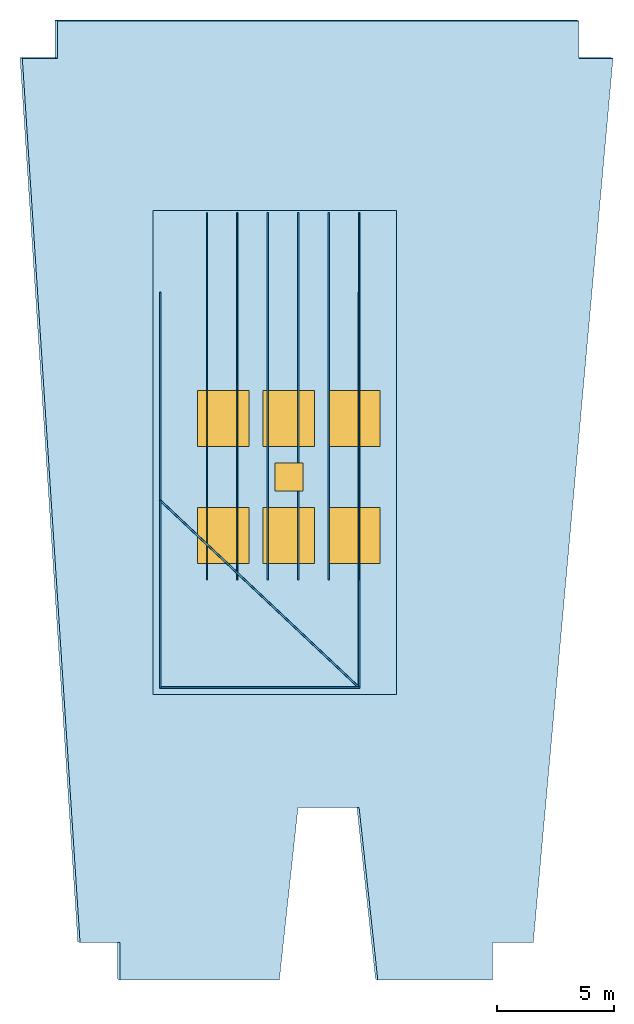
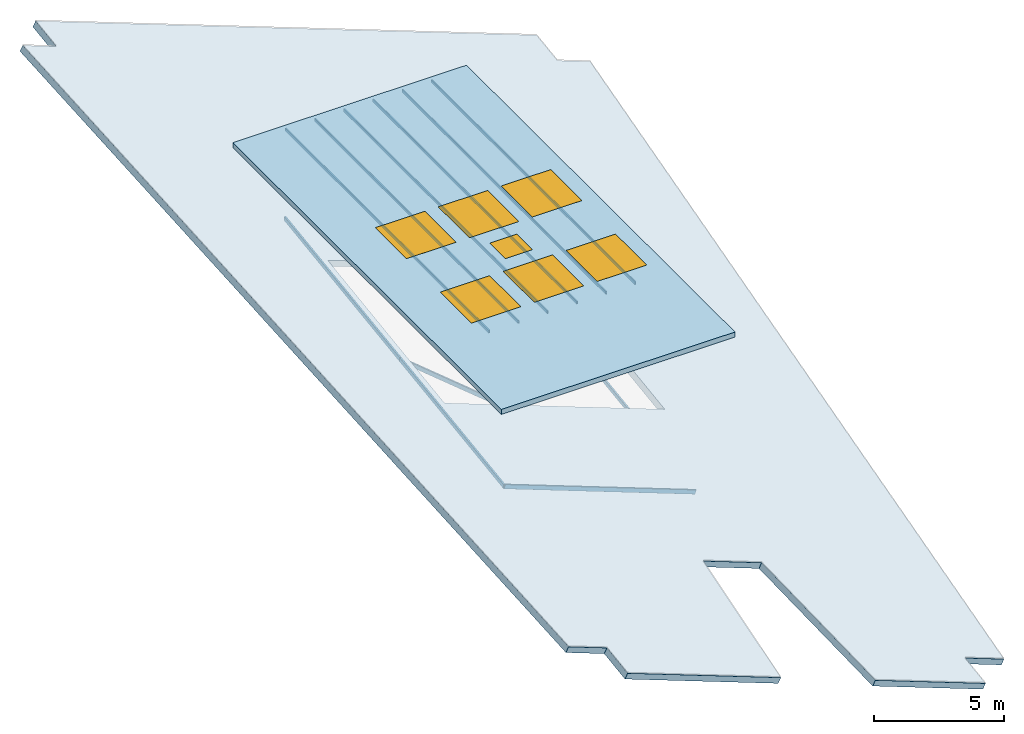
"""IFC4 building model written with IfcOpenShell, lengths in metres."""

from ifc_helpers import new_model, si_unit, direction, frame, origin, origin_2d, place, context, subcontext, project, spatial, polyline, rectangle, hollow_rectangle, outline, extrude, material, layer, layer_set, material_profile, profile_set, type_object, element, fill, save


model = new_model("IFC4")

# Units and contexts
model_context = context("Model", 3, precision=1e-05, world=origin(), true_north=direction((0.0, 1.0)))
body_context = subcontext(model_context, "Body", "Model", "MODEL_VIEW")
ifc_project = project(units=[si_unit("LENGTHUNIT", "METRE"), si_unit("AREAUNIT", "SQUARE_METRE"), si_unit("VOLUMEUNIT", "CUBIC_METRE"), si_unit("PLANEANGLEUNIT", "RADIAN"), si_unit("MASSUNIT", "GRAM", prefix="KILO")], contexts=[model_context])

# Site, building, storey
site_placement = place(None, origin())
site = spatial("IfcSite", under=ifc_project, at=site_placement, CompositionType="ELEMENT")
building_placement = place(site_placement, origin())
building = spatial("IfcBuilding", under=site, at=building_placement, Name="Caeloran Harvest Quay", CompositionType="ELEMENT")
storey_1_placement = place(building_placement, frame((0.0, 0.0, 346.64990234375)))
storey_1 = spatial("IfcBuildingStorey", under=building, at=storey_1_placement, Name="Roof Crown", CompositionType="ELEMENT", Elevation=346.64990234375)

# Members
ifc_material_1 = material(Name="Steel S355J2", Category="steel")
ifc_material_profile_1 = material_profile(ifc_material_1, hollow_rectangle(XDim=0.080078125, YDim=0.199951171875, WallThickness=0.006103515625, InnerFilletRadius=0.006103515625, OuterFilletRadius=0.009033203125, at=origin_2d()), Name="RHS 200x80x6")
ifc_profile_set_1 = profile_set([ifc_material_profile_1], Name="Steel S355J2")
member_type_1 = type_object("IfcMemberType", Name="MEM-CR-2-RHS_200x80x6", PredefinedType="PURLIN", material=ifc_profile_set_1)
member_1_placement = place(storey_1_placement, frame((8.5, 15.0, -6.7119140625), z_axis=(0.934784293814, 0.0, -0.355215883708), x_axis=(0.0, 1.0, 0.0)))
element("IfcMember", 1, at=member_1_placement, inside=storey_1, type_object=member_type_1, Name="CROWN FRAME Roof Glazing Purlin CRP-1", PredefinedType="PURLIN", context=body_context, shape_type="SweptSolid", body=[
    extrude(hollow_rectangle(XDim=0.080078125, YDim=0.199951171875, WallThickness=0.006103515625, InnerFilletRadius=0.006103515625, OuterFilletRadius=0.009033203125, at=origin_2d()), origin(), (0.0, 0.0, 1.0), 9.093017578125),
])
member_2_placement = place(storey_1_placement, frame((8.5, 15.0, -6.7119140625), z_axis=(0.0, 0.990339754644, 0.13866207258), x_axis=(-1.0, 0.0, 0.0)))
element("IfcMember", 2, at=member_2_placement, inside=storey_1, type_object=member_type_1, Name="CROWN FRAME Roof Glazing Purlin CRP-2", PredefinedType="PURLIN", context=body_context, shape_type="SweptSolid", body=[
    extrude(hollow_rectangle(XDim=0.080078125, YDim=0.199951171875, WallThickness=0.006103515625, InnerFilletRadius=0.006103515625, OuterFilletRadius=0.009033203125, at=origin_2d()), origin(), (0.0, 0.0, 1.0), 8.078125),
])
member_3_placement = place(storey_1_placement, frame((8.5, 23.0, -5.591796875), z_axis=(0.0, 0.990343835507, 0.138632923481), x_axis=(-1.0, 0.0, 0.0)))
element("IfcMember", 3, at=member_3_placement, inside=storey_1, type_object=member_type_1, Name="CROWN FRAME Roof Glazing Purlin CRP-3", PredefinedType="PURLIN", context=body_context, shape_type="SweptSolid", body=[
    extrude(hollow_rectangle(XDim=0.080078125, YDim=0.199951171875, WallThickness=0.006103515625, InnerFilletRadius=0.006103515625, OuterFilletRadius=0.009033203125, at=origin_2d()), origin(), (0.0, 0.0, 1.0), 8.986572265625),
])
member_4_placement = place(storey_1_placement, frame((17.0, 15.0, -9.94189453125), z_axis=(0.0, 0.990341903829, 0.138646721996), x_axis=(-1.0, 0.0, 0.0)))
element("IfcMember", 4, at=member_4_placement, inside=storey_1, type_object=member_type_1, Name="CROWN FRAME Roof Glazing Purlin CRP-4", PredefinedType="PURLIN", context=body_context, shape_type="SweptSolid", body=[
    extrude(hollow_rectangle(XDim=0.080078125, YDim=0.199951171875, WallThickness=0.006103515625, InnerFilletRadius=0.006103515625, OuterFilletRadius=0.009033203125, at=origin_2d()), origin(), (0.0, 0.0, 1.0), 17.064697265625),
])
member_5_placement = place(storey_1_placement, frame((8.5, 23.0, -5.591796875), z_axis=(0.682354968535, -0.642216440974, -0.349213029336), x_axis=(0.685364699005, 0.728199992693, 0.0)))
element("IfcMember", 5, at=member_5_placement, inside=storey_1, type_object=member_type_1, Name="CROWN FRAME Roof Glazing Purlin CRP-5", PredefinedType="PURLIN", context=body_context, shape_type="SweptSolid", body=[
    extrude(hollow_rectangle(XDim=0.080078125, YDim=0.199951171875, WallThickness=0.006103515625, InnerFilletRadius=0.006103515625, OuterFilletRadius=0.009033203125, at=origin_2d()), origin(), (0.0, 0.0, 1.0), 12.456787109375),
])
ifc_material_profile_2 = material_profile(ifc_material_1, hollow_rectangle(XDim=0.06005859375, YDim=0.139892578125, WallThickness=0.00390625, InnerFilletRadius=0.00390625, OuterFilletRadius=0.006103515625, at=origin_2d()), Name="RHS 140x60x4")
ifc_profile_set_2 = profile_set([ifc_material_profile_2], Name="Steel S355J2")
member_type_2 = type_object("IfcMemberType", Name="MEM-CR-4-RHS_140x60x4", PredefinedType="RAFTER", material=ifc_profile_set_2)
for number, where, z_axis, x_axis, name in (
    (6, (10.5, 19.60009765625, -2.929931640625), (0.0, 1.0, 0.0), (-1.0, 0.0, 0.0), "Atrium Skylight Sub-Rafter 1"),
    (7, (11.800048828125, 19.60009765625, -2.929931640625), (0.0, 1.0, 0.0), (-1.0, 0.0, 0.0), "Atrium Skylight Sub-Rafter 2"),
    (8, (13.10009765625, 19.60009765625, -2.929931640625), (0.0, 1.0, 0.0), (-1.0, 0.0, 0.0), "Atrium Skylight Sub-Rafter 3"),
    (9, (14.39990234375, 19.60009765625, -2.929931640625), (0.0, 1.0, 0.0), (-1.0, 0.0, 0.0), "Atrium Skylight Sub-Rafter 4"),
    (10, (15.699951171875, 19.60009765625, -2.929931640625), (0.0, 1.0, 0.0), (-1.0, 0.0, 0.0), "Atrium Skylight Sub-Rafter 5"),
    (11, (17.0, 19.60009765625, -2.929931640625), (0.0, 1.0, 0.0), (-1.0, 0.0, 0.0), "Atrium Skylight Sub-Rafter 6"),
):
    element("IfcMember", number, at=place(storey_1_placement, frame(where, z_axis=z_axis, x_axis=x_axis)), inside=storey_1, type_object=member_type_2, Name=name, PredefinedType="RAFTER", context=body_context, shape_type="SweptSolid", body=[
        extrude(hollow_rectangle(XDim=0.06005859375, YDim=0.139892578125, WallThickness=0.00390625, InnerFilletRadius=0.00390625, OuterFilletRadius=0.006103515625, at=origin_2d()), origin(), (0.0, 0.0, 1.0), 15.699951171875),
    ])

# Slab
ifc_material_2 = material(Name="Concrete C50/60", Category="concrete")
ifc_layer_1 = layer(ifc_material_2, 0.280029296875, Name="Concrete C50/60")
ifc_layer_set_1 = layer_set([ifc_layer_1], Name="Concrete C50/60")
slab_type_1 = type_object("IfcSlabType", Name="SLAB-RS-280", PredefinedType="ROOF", material=ifc_layer_set_1)
slab_1_placement = place(storey_1_placement, frame((6.777587890625, 2.5, -7.327392578125), z_axis=(0.352215051843, -0.129763417276, 0.926879718621), x_axis=(0.934783390685, 1.380931e-06, -0.355218260367)))
element("IfcSlab", 12, at=slab_1_placement, inside=storey_1, type_object=slab_type_1, Name="Slanted-Cut Crown Sloped Concrete Roof Slab", PredefinedType="ROOF", context=body_context, shape_type="SweptSolid", body=[
    extrude(outline(polyline([(0.0, 0.0), (7.290367103341003, 1.1102230246251565e-16), (7.779294151336501, 7.442791510447642), (10.56859159105369, 7.442799730462311), (11.791436766964818, -8.220014668602893e-06), (17.03585108088299, -3.28057942160509e-05), (16.956241385473465, 1.6137221510580435), (18.822316801327563, 1.6137226868230679), (20.589326412815186, 39.73584777110069), (19.031944104064127, 39.735851572380064), (18.9524211318627, 41.349576914687994), (-4.903228458585706, 41.349631615766505), (-4.8236187631761815, 39.73587665891424), (-6.423577542831622, 39.7358822924039), (-1.903108640359242, 1.6137525888769444), (-0.07952297220142736, 1.6137253423079303), (0.0, 0.0)]), holes=[polyline([(0.9922083977429996, 17.245812246222155), (11.475921277808126, 17.24579764549243), (11.02835781282674, 26.322542283593975), (0.5446449327616139, 26.322556884323696), (0.9922083977429996, 17.245812246222155)])]), origin(), (0.0, 0.0, -1.0), 0.280029296875),
])

# Slab, openings
ifc_layer_2 = layer(ifc_material_2, 0.239990234375, Name="Concrete C50/60")
ifc_layer_set_2 = layer_set([ifc_layer_2], Name="Concrete C50/60")
slab_type_2 = type_object("IfcSlabType", Name="SLAB-TR-240", PredefinedType="ROOF", material=ifc_layer_set_2)
slab_2_placement = place(storey_1_placement, frame((0.0, 0.0, -3.0498046875)))
slab_2 = element("IfcSlab", 13, at=slab_2_placement, inside=storey_1, type_object=slab_type_2, Name="Crown Atrium Skylight Curb Deck Slab", PredefinedType="ROOF", context=body_context, shape_type="SweptSolid", body=[
    extrude(outline(polyline([(8.199951171875, 14.699951171875), (18.60009765625, 14.699951171875), (18.60009765625, 35.39990234375), (8.199951171875, 35.39990234375), (8.199951171875, 14.699951171875)])), origin(), (0.0, 0.0, 1.0), 0.239990234375),
])
opening_1_placement = place(slab_2_placement, frame((11.199951171875, 21.5, -0.010009765625)))
opening_1 = element("IfcOpeningElement", 14, at=opening_1_placement, cuts=slab_2, Name="Opening SK-01", PredefinedType="OPENING", context=body_context, shape_type="SweptSolid", body=[
    extrude(rectangle(XDim=2.199951171875, YDim=2.39990234375, at=origin_2d()), origin(), (0.0, 0.0, 1.0), 0.260009765625),
])
opening_2_placement = place(slab_2_placement, frame((14.0, 21.5, -0.010009765625)))
opening_2 = element("IfcOpeningElement", 15, at=opening_2_placement, cuts=slab_2, Name="Opening SK-01", PredefinedType="OPENING", context=body_context, shape_type="SweptSolid", body=[
    extrude(rectangle(XDim=2.199951171875, YDim=2.39990234375, at=origin_2d()), origin(), (0.0, 0.0, 1.0), 0.260009765625),
])
opening_3_placement = place(slab_2_placement, frame((16.800048828125, 21.5, -0.010009765625)))
opening_3 = element("IfcOpeningElement", 16, at=opening_3_placement, cuts=slab_2, Name="Opening SK-01", PredefinedType="OPENING", context=body_context, shape_type="SweptSolid", body=[
    extrude(rectangle(XDim=2.199951171875, YDim=2.39990234375, at=origin_2d()), origin(), (0.0, 0.0, 1.0), 0.260009765625),
])
opening_4_placement = place(slab_2_placement, frame((11.199951171875, 26.5, -0.010009765625)))
opening_4 = element("IfcOpeningElement", 17, at=opening_4_placement, cuts=slab_2, Name="Opening SK-01", PredefinedType="OPENING", context=body_context, shape_type="SweptSolid", body=[
    extrude(rectangle(XDim=2.199951171875, YDim=2.39990234375, at=origin_2d()), origin(), (0.0, 0.0, 1.0), 0.260009765625),
])
opening_5_placement = place(slab_2_placement, frame((14.0, 26.5, -0.010009765625)))
opening_5 = element("IfcOpeningElement", 18, at=opening_5_placement, cuts=slab_2, Name="Opening SK-01", PredefinedType="OPENING", context=body_context, shape_type="SweptSolid", body=[
    extrude(rectangle(XDim=2.199951171875, YDim=2.39990234375, at=origin_2d()), origin(), (0.0, 0.0, 1.0), 0.260009765625),
])
opening_6_placement = place(slab_2_placement, frame((16.800048828125, 26.5, -0.010009765625)))
opening_6 = element("IfcOpeningElement", 19, at=opening_6_placement, cuts=slab_2, Name="Opening SK-01", PredefinedType="OPENING", context=body_context, shape_type="SweptSolid", body=[
    extrude(rectangle(XDim=2.199951171875, YDim=2.39990234375, at=origin_2d()), origin(), (0.0, 0.0, 1.0), 0.260009765625),
])
opening_7_placement = place(slab_2_placement, frame((14.0, 24.0, -0.010009765625)))
opening_7 = element("IfcOpeningElement", 20, at=opening_7_placement, cuts=slab_2, Name="Opening RH-01", PredefinedType="OPENING", context=body_context, shape_type="SweptSolid", body=[
    extrude(rectangle(XDim=1.199951171875, YDim=1.199951171875, at=origin_2d()), origin(), (0.0, 0.0, 1.0), 0.260009765625),
])

# Storey
storey_2_placement = place(building_placement, frame((0.0, 0.0, 324.050048828125)))
storey_2 = spatial("IfcBuildingStorey", under=building, at=storey_2_placement, Name="L78", CompositionType="ELEMENT", Elevation=324.050048828125)

# Door
ifc_material_3 = material(Name="Thermally Broken Powder-Coated Aluminium and Safety Glass", Category="aluminium")
door_type = type_object("IfcDoorType", Name="EXTDOOR-RH-01", OperationType="NOTDEFINED", PredefinedType="TRAPDOOR", material=ifc_material_3)
door_placement = place(slab_2_placement, frame((14.0, 24.0, 0.18994140625)))
door = element("IfcDoor", 21, at=door_placement, inside=storey_2, type_object=door_type, Name="Crown Lantern Roof Maintenance Access Hatch RH-01", OperationType="SINGLE_SWING_LEFT", OverallHeight=1.199951171875, OverallWidth=1.199951171875, PredefinedType="TRAPDOOR", context=body_context, shape_type="SweptSolid", body=[
    extrude(rectangle(XDim=1.199951171875, YDim=1.199951171875, at=origin_2d()), origin(), (0.0, 0.0, 1.0), 0.050048828125),
])

fill(opening_7, door)

# Window
ifc_material_4 = material(Name="Aluminium-Framed Low-E Laminated Glass", Category="aluminium")
window_type = type_object("IfcWindowType", Name="WIN-SK-01", PartitioningType="SINGLE_PANEL", PredefinedType="SKYLIGHT", material=ifc_material_4)
window_1_placement = place(slab_2_placement, frame((11.199951171875, 21.5, 0.18994140625)))
window_1 = element("IfcWindow", 22, at=window_1_placement, inside=storey_1, type_object=window_type, Name="Atrium Skylight Module SK-01-01", OverallHeight=2.39990234375, OverallWidth=2.199951171875, PartitioningType="SINGLE_PANEL", PredefinedType="SKYLIGHT", context=body_context, shape_type="SweptSolid", body=[
    extrude(rectangle(XDim=2.199951171875, YDim=2.39990234375, at=origin_2d()), origin(), (0.0, 0.0, 1.0), 0.050048828125),
])

fill(opening_1, window_1)

window_2_placement = place(slab_2_placement, frame((14.0, 21.5, 0.18994140625)))
window_2 = element("IfcWindow", 23, at=window_2_placement, inside=storey_1, type_object=window_type, Name="Atrium Skylight Module SK-01-02", OverallHeight=2.39990234375, OverallWidth=2.199951171875, PartitioningType="SINGLE_PANEL", PredefinedType="SKYLIGHT", context=body_context, shape_type="SweptSolid", body=[
    extrude(rectangle(XDim=2.199951171875, YDim=2.39990234375, at=origin_2d()), origin(), (0.0, 0.0, 1.0), 0.050048828125),
])

fill(opening_2, window_2)

window_3_placement = place(slab_2_placement, frame((16.800048828125, 21.5, 0.18994140625)))
window_3 = element("IfcWindow", 24, at=window_3_placement, inside=storey_1, type_object=window_type, Name="Atrium Skylight Module SK-01-03", OverallHeight=2.39990234375, OverallWidth=2.199951171875, PartitioningType="SINGLE_PANEL", PredefinedType="SKYLIGHT", context=body_context, shape_type="SweptSolid", body=[
    extrude(rectangle(XDim=2.199951171875, YDim=2.39990234375, at=origin_2d()), origin(), (0.0, 0.0, 1.0), 0.050048828125),
])

fill(opening_3, window_3)

window_4_placement = place(slab_2_placement, frame((11.199951171875, 26.5, 0.18994140625)))
window_4 = element("IfcWindow", 25, at=window_4_placement, inside=storey_1, type_object=window_type, Name="Atrium Skylight Module SK-01-04", OverallHeight=2.39990234375, OverallWidth=2.199951171875, PartitioningType="SINGLE_PANEL", PredefinedType="SKYLIGHT", context=body_context, shape_type="SweptSolid", body=[
    extrude(rectangle(XDim=2.199951171875, YDim=2.39990234375, at=origin_2d()), origin(), (0.0, 0.0, 1.0), 0.050048828125),
])

fill(opening_4, window_4)

window_5_placement = place(slab_2_placement, frame((14.0, 26.5, 0.18994140625)))
window_5 = element("IfcWindow", 26, at=window_5_placement, inside=storey_1, type_object=window_type, Name="Atrium Skylight Module SK-01-05", OverallHeight=2.39990234375, OverallWidth=2.199951171875, PartitioningType="SINGLE_PANEL", PredefinedType="SKYLIGHT", context=body_context, shape_type="SweptSolid", body=[
    extrude(rectangle(XDim=2.199951171875, YDim=2.39990234375, at=origin_2d()), origin(), (0.0, 0.0, 1.0), 0.050048828125),
])

fill(opening_5, window_5)

window_6_placement = place(slab_2_placement, frame((16.800048828125, 26.5, 0.18994140625)))
window_6 = element("IfcWindow", 27, at=window_6_placement, inside=storey_1, type_object=window_type, Name="Atrium Skylight Module SK-01-06", OverallHeight=2.39990234375, OverallWidth=2.199951171875, PartitioningType="SINGLE_PANEL", PredefinedType="SKYLIGHT", context=body_context, shape_type="SweptSolid", body=[
    extrude(rectangle(XDim=2.199951171875, YDim=2.39990234375, at=origin_2d()), origin(), (0.0, 0.0, 1.0), 0.050048828125),
])

fill(opening_6, window_6)

save(model, "model.ifc")
